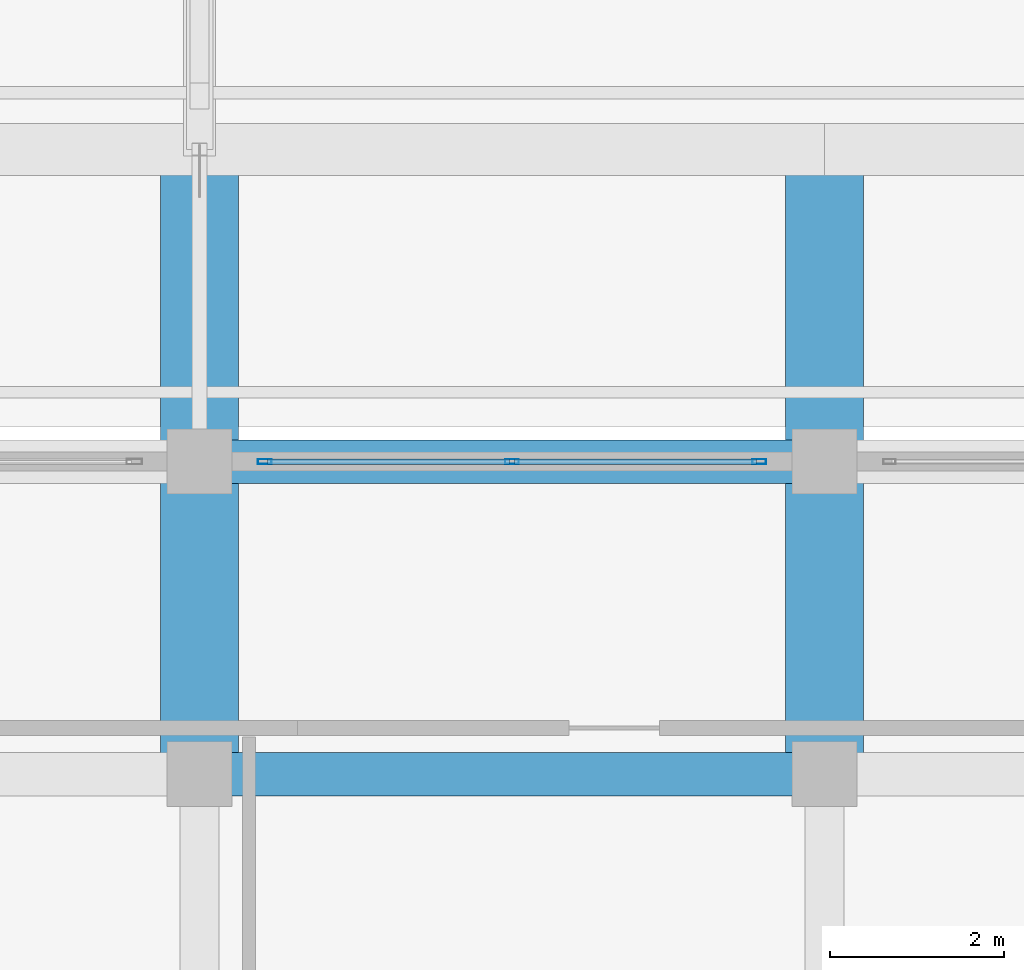
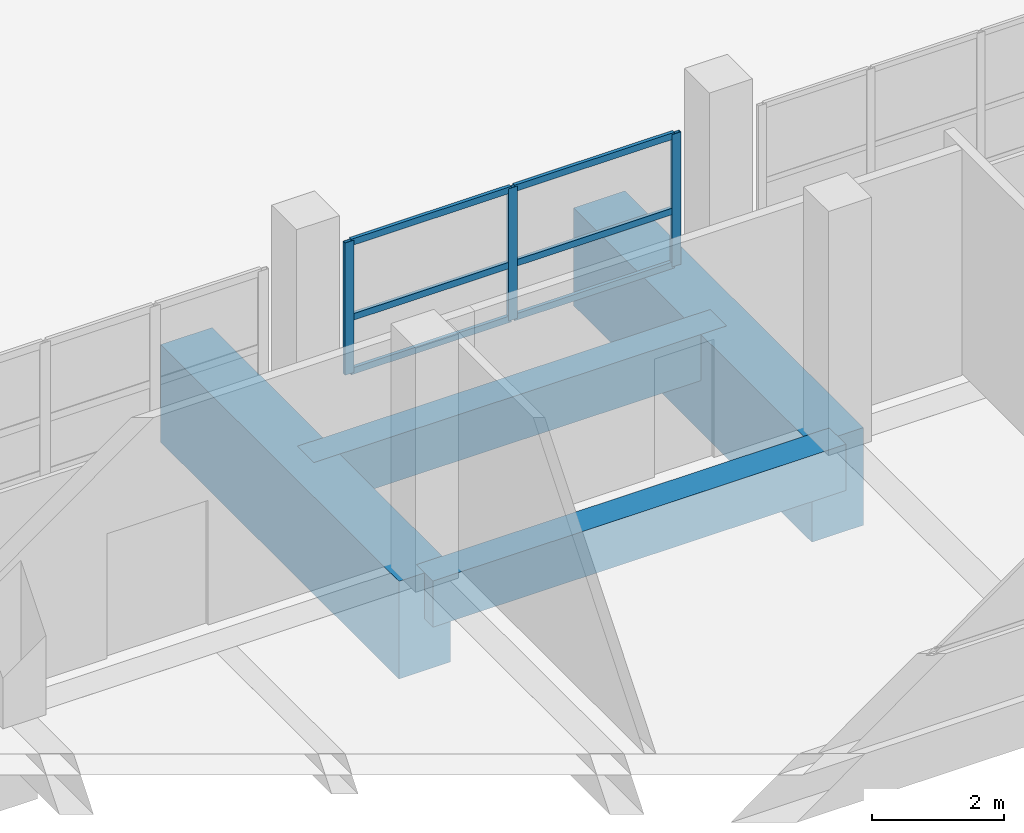
# One storey, part 87 of 141: 9 members, 4 beams, 1 element without a shape of its own.
"""IFC4 building model written with IfcOpenShell, lengths in metres."""

from ifc_helpers import new_model, si_unit, direction, frame, origin, origin_2d, place, context, subcontext, project, spatial, rectangle, hollow_rectangle, extrude, material, layer, layer_set, material_profile, profile_set, type_object, element, aggregate, save


model = new_model("IFC4")

# Units and contexts
model_context = context("Model", 3, precision=1e-05, world=origin(), true_north=direction((0.0, 1.0)))
body_context = subcontext(model_context, "Body", "Model", "MODEL_VIEW")
ifc_project = project(units=[si_unit("LENGTHUNIT", "METRE"), si_unit("AREAUNIT", "SQUARE_METRE"), si_unit("VOLUMEUNIT", "CUBIC_METRE"), si_unit("PLANEANGLEUNIT", "RADIAN"), si_unit("MASSUNIT", "GRAM", prefix="KILO")], contexts=[model_context])

# Site, building, storey
site_placement = place(None, origin())
site = spatial("IfcSite", under=ifc_project, at=site_placement, CompositionType="ELEMENT")
building_placement = place(site_placement, origin())
building = spatial("IfcBuilding", under=site, at=building_placement, Name="Seraya Terrace Polytechnic", CompositionType="ELEMENT")
storey_placement = place(building_placement, frame((0.0, 0.0, 14.39990234375)))
storey = spatial("IfcBuildingStorey", under=building, at=storey_placement, Name="L03", CompositionType="ELEMENT", Elevation=14.39990234375)

# Beams
ifc_material_1 = material(Name="Concrete C40/50", Category="concrete")
ifc_material_profile_1 = material_profile(ifc_material_1, rectangle(XDim=0.5, YDim=0.85009765625, at=origin_2d()), Name="RC 500x850")
ifc_profile_set_1 = profile_set([ifc_material_profile_1], Name="Concrete C40/50")
beam_type_1 = type_object("IfcBeamType", Name="BM-05", PredefinedType="BEAM", material=ifc_profile_set_1)
for number, where, z_axis, x_axis, name in (
    (1, (72.0, 72.0, -0.4248046875), (1.0, 0.0, 0.0), (0.0, 1.0, 0.0), "Beam BM-05 L03 X (72.0..79.2, 72.0)"),
    (2, (72.0, 75.60009765625, -0.4248046875), (1.0, 0.0, 0.0), (0.0, 1.0, 0.0), "Beam BM-05 L03 X (72.0..79.2, 75.6)"),
):
    element("IfcBeam", number, at=place(storey_placement, frame(where, z_axis=z_axis, x_axis=x_axis)), inside=storey, type_object=beam_type_1, Name=name, PredefinedType="BEAM", context=body_context, shape_type="SweptSolid", body=[
        extrude(rectangle(XDim=0.5, YDim=0.85009765625, at=origin_2d()), origin(), (0.0, 0.0, 1.0), 7.199951171875),
    ])

# Curtain wall, members
ifc_material_2 = material(Name="Anodised aluminium EN AW-6063 T6", Category="aluminium")
ifc_layer = layer(ifc_material_2, 0.179931640625, Name="CW-14")
ifc_layer_set = layer_set([ifc_layer], Name="Anodised aluminium EN AW-6063 T6")
curtain_wall_type = type_object("IfcCurtainWallType", Name="CW-14", PredefinedType="NOTDEFINED", material=ifc_layer_set)
curtain_wall_placement = place(storey_placement, origin())
curtain_wall = element("IfcCurtainWall", 3, at=curtain_wall_placement, inside=storey, type_object=curtain_wall_type, Name="Unitised curtain wall CW-14 (CW-L03-122)", PredefinedType="NOTDEFINED")
ifc_material_profile_2 = material_profile(ifc_material_2, hollow_rectangle(XDim=0.06005859375, YDim=0.159912109375, WallThickness=0.00341796875, at=origin_2d()), Name="RHS 160x60x3.5")
ifc_profile_set_2 = profile_set([ifc_material_profile_2], Name="Anodised aluminium EN AW-6063 T6")
member_type_1 = type_object("IfcMemberType", Name="CWM-02", PredefinedType="MULLION", material=ifc_profile_set_2)
member_1_placement = place(storey_placement, frame((72.75, 75.60009765625, 1.239990234375), z_axis=(0.0, 0.0, 1.0), x_axis=(0.0, 1.0, 0.0)))
member_1 = element("IfcMember", 4, at=member_1_placement, type_object=member_type_1, Name="CW-14 mullion 1", PredefinedType="MULLION", context=body_context, shape_type="SweptSolid", body=[
    extrude(hollow_rectangle(XDim=0.06005859375, YDim=0.159912109375, WallThickness=0.00341796875, at=origin_2d()), origin(), (0.0, 0.0, 1.0), 2.440185546875),
])
member_2_placement = place(storey_placement, frame((75.60009765625, 75.60009765625, 1.239990234375), z_axis=(0.0, 0.0, 1.0), x_axis=(0.0, 1.0, 0.0)))
member_2 = element("IfcMember", 5, at=member_2_placement, type_object=member_type_1, Name="CW-14 mullion 2", PredefinedType="MULLION", context=body_context, shape_type="SweptSolid", body=[
    extrude(hollow_rectangle(XDim=0.06005859375, YDim=0.159912109375, WallThickness=0.00341796875, at=origin_2d()), origin(), (0.0, 0.0, 1.0), 2.440185546875),
])
member_3_placement = place(storey_placement, frame((78.449951171875, 75.60009765625, 1.239990234375), z_axis=(0.0, 0.0, 1.0), x_axis=(0.0, 1.0, 0.0)))
member_3 = element("IfcMember", 6, at=member_3_placement, type_object=member_type_1, Name="CW-14 mullion 3", PredefinedType="MULLION", context=body_context, shape_type="SweptSolid", body=[
    extrude(hollow_rectangle(XDim=0.06005859375, YDim=0.159912109375, WallThickness=0.00341796875, at=origin_2d()), origin(), (0.0, 0.0, 1.0), 2.440185546875),
])
ifc_material_profile_3 = material_profile(ifc_material_2, hollow_rectangle(XDim=0.06005859375, YDim=0.1201171875, WallThickness=0.003173828125, at=origin_2d()), Name="RHS 120x60x3.2")
ifc_profile_set_3 = profile_set([ifc_material_profile_3], Name="Anodised aluminium EN AW-6063 T6")
member_type_2 = type_object("IfcMemberType", Name="CWT-02", PredefinedType="USERDEFINED", material=ifc_profile_set_3)
member_4_placement = place(storey_placement, frame((72.780029296875, 75.60009765625, 1.27001953125), z_axis=(1.0, 0.0, 0.0), x_axis=(0.0, 1.0, 0.0)))
member_4 = element("IfcMember", 7, at=member_4_placement, type_object=member_type_2, Name="CW-14 transom 1.1", ObjectType="TRANSOM", PredefinedType="USERDEFINED", context=body_context, shape_type="SweptSolid", body=[
    extrude(hollow_rectangle(XDim=0.06005859375, YDim=0.1201171875, WallThickness=0.003173828125, at=origin_2d()), origin(), (0.0, 0.0, 1.0), 2.7900390625),
])
member_5_placement = place(storey_placement, frame((72.780029296875, 75.60009765625, 2.264892578125), z_axis=(1.0, 0.0, 0.0), x_axis=(0.0, 1.0, 0.0)))
member_5 = element("IfcMember", 8, at=member_5_placement, type_object=member_type_2, Name="CW-14 transom 1.2", ObjectType="TRANSOM", PredefinedType="USERDEFINED", context=body_context, shape_type="SweptSolid", body=[
    extrude(hollow_rectangle(XDim=0.06005859375, YDim=0.1201171875, WallThickness=0.003173828125, at=origin_2d()), origin(), (0.0, 0.0, 1.0), 2.7900390625),
])
member_6_placement = place(storey_placement, frame((72.780029296875, 75.60009765625, 3.650146484375), z_axis=(1.0, 0.0, 0.0), x_axis=(0.0, 1.0, 0.0)))
member_6 = element("IfcMember", 9, at=member_6_placement, type_object=member_type_2, Name="CW-14 transom 1.3", ObjectType="TRANSOM", PredefinedType="USERDEFINED", context=body_context, shape_type="SweptSolid", body=[
    extrude(hollow_rectangle(XDim=0.06005859375, YDim=0.1201171875, WallThickness=0.003173828125, at=origin_2d()), origin(), (0.0, 0.0, 1.0), 2.7900390625),
])
member_7_placement = place(storey_placement, frame((75.6298828125, 75.60009765625, 1.27001953125), z_axis=(1.0, 0.0, 0.0), x_axis=(0.0, 1.0, 0.0)))
member_7 = element("IfcMember", 10, at=member_7_placement, type_object=member_type_2, Name="CW-14 transom 2.1", ObjectType="TRANSOM", PredefinedType="USERDEFINED", context=body_context, shape_type="SweptSolid", body=[
    extrude(hollow_rectangle(XDim=0.06005859375, YDim=0.1201171875, WallThickness=0.003173828125, at=origin_2d()), origin(), (0.0, 0.0, 1.0), 2.7900390625),
])
member_8_placement = place(storey_placement, frame((75.6298828125, 75.60009765625, 2.264892578125), z_axis=(1.0, 0.0, 0.0), x_axis=(0.0, 1.0, 0.0)))
member_8 = element("IfcMember", 11, at=member_8_placement, type_object=member_type_2, Name="CW-14 transom 2.2", ObjectType="TRANSOM", PredefinedType="USERDEFINED", context=body_context, shape_type="SweptSolid", body=[
    extrude(hollow_rectangle(XDim=0.06005859375, YDim=0.1201171875, WallThickness=0.003173828125, at=origin_2d()), origin(), (0.0, 0.0, 1.0), 2.7900390625),
])
member_9_placement = place(storey_placement, frame((75.6298828125, 75.60009765625, 3.650146484375), z_axis=(1.0, 0.0, 0.0), x_axis=(0.0, 1.0, 0.0)))
member_9 = element("IfcMember", 12, at=member_9_placement, type_object=member_type_2, Name="CW-14 transom 2.3", ObjectType="TRANSOM", PredefinedType="USERDEFINED", context=body_context, shape_type="SweptSolid", body=[
    extrude(hollow_rectangle(XDim=0.06005859375, YDim=0.1201171875, WallThickness=0.003173828125, at=origin_2d()), origin(), (0.0, 0.0, 1.0), 2.7900390625),
])
aggregate(curtain_wall, [member_1, member_2, member_3, member_4, member_5, member_6, member_7, member_8, member_9])

# Beams
ifc_material_profile_4 = material_profile(ifc_material_1, rectangle(XDim=0.89990234375, YDim=1.800048828125, at=origin_2d()), Name="RC 900x1800")
ifc_profile_set_4 = profile_set([ifc_material_profile_4], Name="Concrete C40/50")
beam_type_2 = type_object("IfcBeamType", Name="TG-01", PredefinedType="USERDEFINED", material=ifc_profile_set_4)
for number, where, z_axis, x_axis, name in (
    (13, (72.0, 72.0, -0.89990234375), (0.0, 1.0, 0.0), (-1.0, 0.0, 0.0), "Transfer girder TG-01 L03 #16"),
    (14, (79.199951171875, 72.0, -0.89990234375), (0.0, 1.0, 0.0), (-1.0, 0.0, 0.0), "Transfer girder TG-01 L03 #17"),
):
    element("IfcBeam", number, at=place(storey_placement, frame(where, z_axis=z_axis, x_axis=x_axis)), inside=storey, type_object=beam_type_2, Name=name, ObjectType="GIRDER", PredefinedType="USERDEFINED", context=body_context, shape_type="SweptSolid", body=[
        extrude(rectangle(XDim=0.89990234375, YDim=1.800048828125, at=origin_2d()), origin(), (0.0, 0.0, 1.0), 7.199951171875),
    ])

save(model, "model.ifc")
